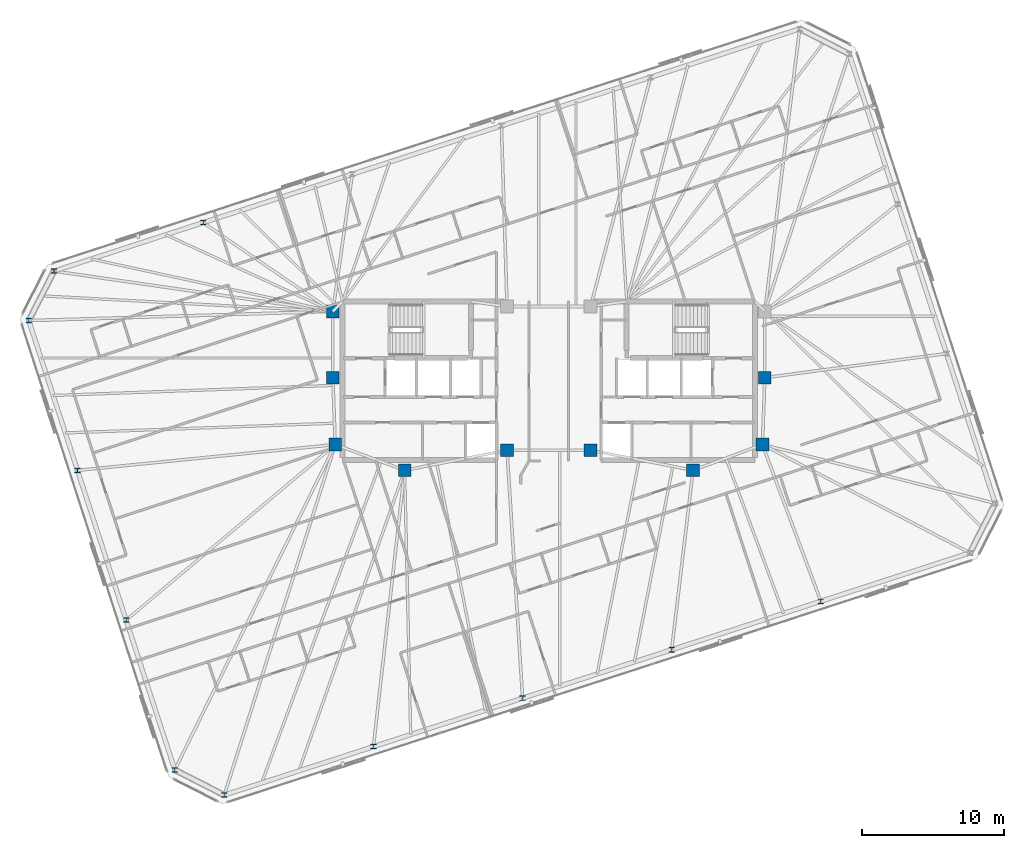
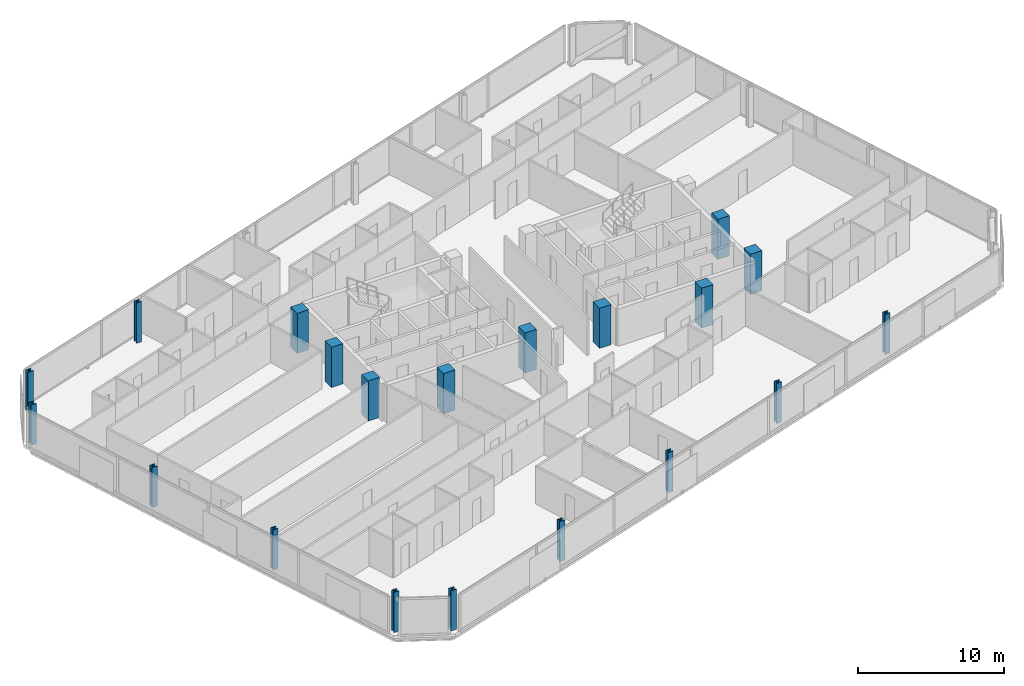
# One storey, part 1 of 20: 20 columns.
"""IFC4 building model written with IfcOpenShell, lengths in metres."""

from ifc_helpers import new_model, si_unit, direction, frame, origin, origin_2d, place, context, subcontext, project, spatial, rectangle, i_section, extrude, material, material_profile, profile_set, type_object, element, save


model = new_model("IFC4")

# Units and contexts
model_context = context("Model", 3, precision=1e-05, world=origin(), true_north=direction((0.0, 1.0)))
body_context = subcontext(model_context, "Body", "Model", "MODEL_VIEW")
ifc_project = project(units=[si_unit("LENGTHUNIT", "METRE"), si_unit("AREAUNIT", "SQUARE_METRE"), si_unit("VOLUMEUNIT", "CUBIC_METRE"), si_unit("PLANEANGLEUNIT", "RADIAN"), si_unit("MASSUNIT", "GRAM", prefix="KILO")], contexts=[model_context])

# Site, building, storey
site_placement = place(None, origin())
site = spatial("IfcSite", under=ifc_project, at=site_placement, CompositionType="ELEMENT")
building_placement = place(site_placement, origin())
building = spatial("IfcBuilding", under=site, at=building_placement, Name="Menara Jurai Vektor", CompositionType="ELEMENT")
storey_placement = place(building_placement, frame((0.0, 0.0, 217.60009765625)))
storey = spatial("IfcBuildingStorey", under=building, at=storey_placement, Name="L57", CompositionType="ELEMENT", Elevation=217.60009765625)

# Columns
ifc_material_1 = material(Name="Concrete C50/60", Category="concrete")
ifc_material_profile_1 = material_profile(ifc_material_1, rectangle(XDim=0.89990234375, YDim=0.89990234375, at=origin_2d()), Name="RC 900x900")
ifc_profile_set_1 = profile_set([ifc_material_profile_1], Name="Concrete C50/60")
column_type_1 = type_object("IfcColumnType", Name="STR-COL-RC900", PredefinedType="COLUMN", material=ifc_profile_set_1)
for number, where, z_axis, x_axis, name in (
    (1, (-15.25, 4.89990234375, 0.0), (0.0, 0.0, 1.0), (1.0, 0.0, 0.0), "Core Spine Column CW-NW L57"),
    (2, (-15.25, 0.219970703125, 0.0), (0.0, 0.0, 1.0), (1.0, 0.0, 0.0), "Core Spine Column CW-WM L57"),
    (3, (-15.080078125, -4.5, 0.0), (0.0, 0.0, 1.0), (1.0, 0.0, 0.0), "Core Spine Column CW-SW L57"),
    (4, (-10.179931640625, -6.320068359375, 0.0), (0.0, 0.0, 1.0), (1.0, 0.0, 0.0), "Core Spine Column CW-SM L57"),
    (5, (-2.949951171875, -4.89990234375, 0.0), (0.0, 0.0, 1.0), (1.0, 0.0, 0.0), "Core Spine Column CW-SE L57"),
    (6, (15.25, 0.219970703125, 0.0), (0.0, 0.0, 1.0), (1.0, 0.0, 0.0), "Core Spine Column CE-EM L57"),
    (7, (15.080078125, -4.5, 0.0), (0.0, 0.0, 1.0), (1.0, 0.0, 0.0), "Core Spine Column CE-SE L57"),
    (8, (10.179931640625, -6.320068359375, 0.0), (0.0, 0.0, 1.0), (1.0, 0.0, 0.0), "Core Spine Column CE-SM L57"),
    (9, (2.949951171875, -4.89990234375, 0.0), (0.0, 0.0, 1.0), (1.0, 0.0, 0.0), "Core Spine Column CE-SW L57"),
):
    element("IfcColumn", number, at=place(storey_placement, frame(where, z_axis=z_axis, x_axis=x_axis)), inside=storey, type_object=column_type_1, Name=name, PredefinedType="COLUMN", context=body_context, shape_type="SweptSolid", body=[
        extrude(rectangle(XDim=0.89990234375, YDim=0.89990234375, at=origin_2d()), origin(), (0.0, 0.0, 1.0), 3.349853515625),
    ])
ifc_material_2 = material(Name="Steel S460", Category="steel")
ifc_material_profile_2 = material_profile(ifc_material_2, i_section(OverallWidth=0.405029296875, OverallDepth=0.35498046875, WebThickness=0.0419921875, FlangeThickness=0.068115234375, FilletRadius=0.014892578125, at=origin_2d()), Name="HD 400x551")
ifc_profile_set_2 = profile_set([ifc_material_profile_2], Name="Steel S460")
column_type_2 = type_object("IfcColumnType", Name="STR-EXO-BLK4", PredefinedType="COLUMN", material=ifc_profile_set_2)
for number, where, z_axis, x_axis, name in (
    (10, (-22.912841796875, -29.2509765625, 0.0), (0.0, 0.0, 1.0), (1.0, 0.0, 0.0), "Exoskeleton Column BLK4-S1 L57"),
    (11, (-12.383544921875, -25.829833984375, 0.0), (0.0, 0.0, 1.0), (1.0, 0.0, 0.0), "Exoskeleton Column BLK4-S2 L57"),
    (12, (-1.854248046875, -22.40869140625, 0.0), (0.0, 0.0, 1.0), (1.0, 0.0, 0.0), "Exoskeleton Column BLK4-S3 L57"),
    (13, (8.675048828125, -18.987548828125, 0.0), (0.0, 0.0, 1.0), (1.0, 0.0, 0.0), "Exoskeleton Column BLK4-S4 L57"),
    (14, (19.204345703125, -15.56640625, 0.0), (0.0, 0.0, 1.0), (1.0, 0.0, 0.0), "Exoskeleton Column BLK4-S5 L57"),
    (15, (-24.404296875, 11.166259765625, 0.0), (0.0, 0.0, 1.0), (1.0, 0.0, 0.0), "Exoskeleton Column BLK4-N5 L57"),
    (16, (-34.93359375, 7.7451171875, 0.0), (0.0, 0.0, 1.0), (1.0, 0.0, 0.0), "Exoskeleton Column BLK4-N6 L57"),
    (17, (-36.71337890625, 4.251953125, 0.0), (0.0, 0.0, 1.0), (1.0, 0.0, 0.0), "Exoskeleton Column BLK4-W1 L57"),
    (18, (-33.277587890625, -6.322265625, 0.0), (0.0, 0.0, 1.0), (1.0, 0.0, 0.0), "Exoskeleton Column BLK4-W2 L57"),
    (19, (-29.841796875, -16.896728515625, 0.0), (0.0, 0.0, 1.0), (1.0, 0.0, 0.0), "Exoskeleton Column BLK4-W3 L57"),
    (20, (-26.406005859375, -27.47119140625, 0.0), (0.0, 0.0, 1.0), (1.0, 0.0, 0.0), "Exoskeleton Column BLK4-W4 L57"),
):
    element("IfcColumn", number, at=place(storey_placement, frame(where, z_axis=z_axis, x_axis=x_axis)), inside=storey, type_object=column_type_2, Name=name, PredefinedType="COLUMN", context=body_context, shape_type="SweptSolid", body=[
        extrude(i_section(OverallWidth=0.405029296875, OverallDepth=0.35498046875, WebThickness=0.0419921875, FlangeThickness=0.068115234375, FilletRadius=0.014892578125, at=origin_2d()), origin(), (0.0, 0.0, 1.0), 3.349853515625),
    ])

save(model, "model.ifc")
